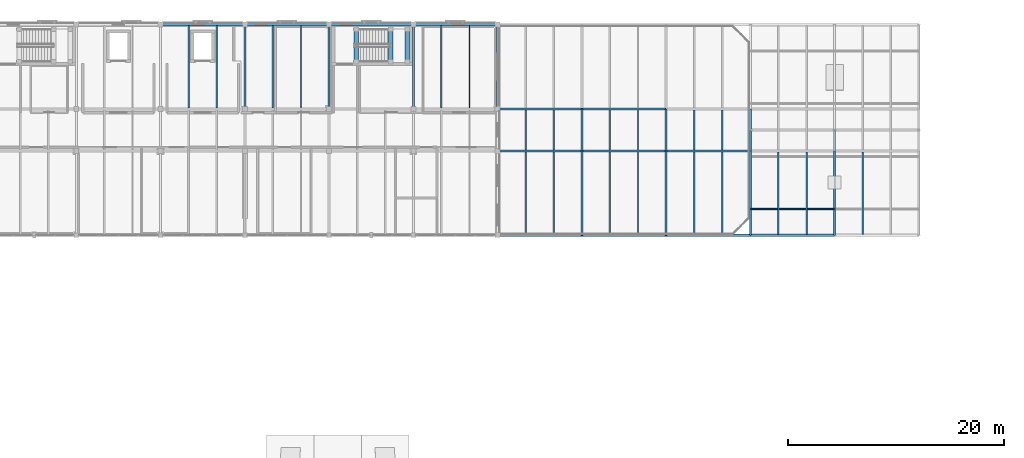
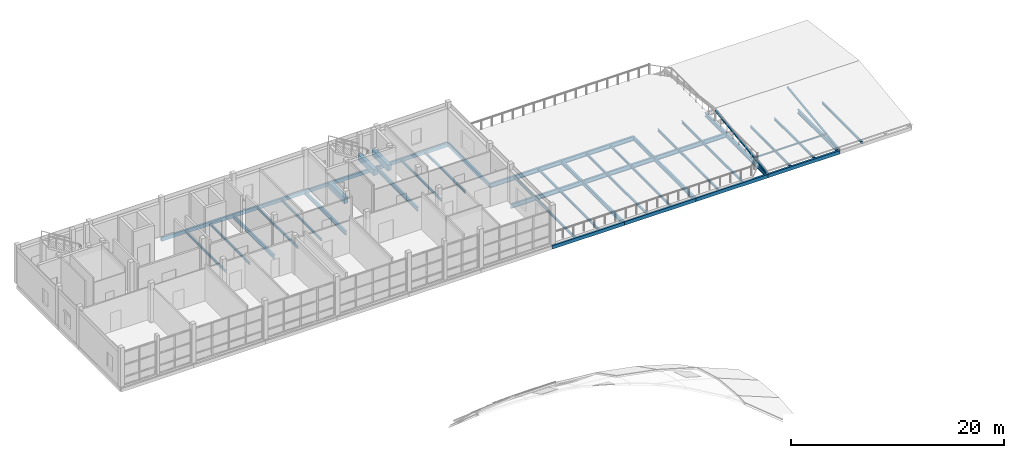
# One storey, part 12 of 45: 48 beams, 3 members.
"""IFC4 building model written with IfcOpenShell, lengths in metres."""

from ifc_helpers import new_model, si_unit, direction, frame, origin, origin_2d, place, context, subcontext, project, spatial, rectangle, hollow_rectangle, hollow_circle, i_section, extrude, material, material_profile, profile_set, type_object, element, save


model = new_model("IFC4")

# Units and contexts
model_context = context("Model", 3, precision=1e-05, world=origin(), true_north=direction((0.0, 1.0)))
body_context = subcontext(model_context, "Body", "Model", "MODEL_VIEW")
ifc_project = project(units=[si_unit("LENGTHUNIT", "METRE"), si_unit("AREAUNIT", "SQUARE_METRE"), si_unit("VOLUMEUNIT", "CUBIC_METRE"), si_unit("PLANEANGLEUNIT", "RADIAN"), si_unit("MASSUNIT", "GRAM", prefix="KILO")], contexts=[model_context])

# Site, building, storey
site_placement = place(None, origin())
site = spatial("IfcSite", under=ifc_project, at=site_placement, CompositionType="ELEMENT")
building_placement = place(site_placement, origin())
building = spatial("IfcBuilding", under=site, at=building_placement, Name="Celorna Specialist Clinic", CompositionType="ELEMENT")
storey_placement = place(building_placement, frame((0.0, 0.0, 18.60009765625)))
storey = spatial("IfcBuildingStorey", under=building, at=storey_placement, Name="L04", CompositionType="ELEMENT", Elevation=18.60009765625)

# Beams
ifc_material_1 = material(Name="Steel S355", Category="steel")
ifc_material_profile_1 = material_profile(ifc_material_1, i_section(OverallWidth=0.199951171875, OverallDepth=0.5, WebThickness=0.01025390625, FlangeThickness=0.01611328125, at=origin_2d()), Name="IPE 500")
ifc_profile_set_1 = profile_set([ifc_material_profile_1], Name="Steel S355")
beam_type_1 = type_object("IfcBeamType", Name="BM-08", PredefinedType="BEAM", material=ifc_profile_set_1)
beam_1_placement = place(storey_placement, frame((93.60009765625, 104.300048828125, -0.510009765625), z_axis=(1.0, 0.0, 0.0), x_axis=(0.0, 1.0, 0.0)))
element("IfcBeam", 1, at=beam_1_placement, inside=storey, type_object=beam_type_1, Name="Primary girder BM-08 #2314", PredefinedType="BEAM", context=body_context, shape_type="SweptSolid", body=[
    extrude(i_section(OverallWidth=0.199951171875, OverallDepth=0.5, WebThickness=0.01025390625, FlangeThickness=0.01611328125, at=origin_2d()), origin(), (0.0, 0.0, 1.0), 7.7998046875),
])
for number, where, z_axis, x_axis, name in (
    (2, (101.39990234375, 104.300048828125, -0.510009765625), (1.0, 0.0, 0.0), (0.0, 1.0, 0.0), "Primary girder BM-08 #2315"),
    (3, (109.199951171875, 104.300048828125, -0.510009765625), (1.0, 0.0, 0.0), (0.0, 1.0, 0.0), "Primary girder BM-08 #2316"),
):
    element("IfcBeam", number, at=place(storey_placement, frame(where, z_axis=z_axis, x_axis=x_axis)), inside=storey, type_object=beam_type_1, Name=name, PredefinedType="BEAM", context=body_context, shape_type="SweptSolid", body=[
        extrude(i_section(OverallWidth=0.199951171875, OverallDepth=0.5, WebThickness=0.01025390625, FlangeThickness=0.01611328125, at=origin_2d()), origin(), (0.0, 0.0, 1.0), 7.800048828125),
    ])
beam_2_placement = place(storey_placement, frame((93.60009765625, 108.199951171875, -0.510009765625), z_axis=(1.0, 0.0, 0.0), x_axis=(0.0, 1.0, 0.0)))
element("IfcBeam", 4, at=beam_2_placement, inside=storey, type_object=beam_type_1, Name="Primary girder BM-08 #2319", PredefinedType="BEAM", context=body_context, shape_type="SweptSolid", body=[
    extrude(i_section(OverallWidth=0.199951171875, OverallDepth=0.5, WebThickness=0.01025390625, FlangeThickness=0.01611328125, at=origin_2d()), origin(), (0.0, 0.0, 1.0), 7.7998046875),
])
beam_3_placement = place(storey_placement, frame((101.39990234375, 108.199951171875, -0.510009765625), z_axis=(1.0, 0.0, 0.0), x_axis=(0.0, 1.0, 0.0)))
element("IfcBeam", 5, at=beam_3_placement, inside=storey, type_object=beam_type_1, Name="Primary girder BM-08 #2320", PredefinedType="BEAM", context=body_context, shape_type="SweptSolid", body=[
    extrude(i_section(OverallWidth=0.199951171875, OverallDepth=0.5, WebThickness=0.01025390625, FlangeThickness=0.01611328125, at=origin_2d()), origin(), (0.0, 0.0, 1.0), 7.800048828125),
])
ifc_material_profile_2 = material_profile(ifc_material_1, i_section(OverallWidth=0.18994140625, OverallDepth=0.449951171875, WebThickness=0.009521484375, FlangeThickness=0.0146484375, at=origin_2d()), Name="IPE 450")
ifc_profile_set_2 = profile_set([ifc_material_profile_2], Name="Steel S355")
beam_type_2 = type_object("IfcBeamType", Name="BM-09", PredefinedType="BEAM", material=ifc_profile_set_2)
for number, where, z_axis, x_axis, name in (
    (6, (70.199951171875, 108.199951171875, -0.505126953125), (0.0, 1.0, 0.0), (-1.0, 0.0, 0.0), "Transverse girder BM-09 #1374"),
    (7, (78.0, 108.199951171875, -0.505126953125), (0.0, 1.0, 0.0), (-1.0, 0.0, 0.0), "Transverse girder BM-09 #1377"),
    (8, (85.800048828125, 108.199951171875, -0.505126953125), (0.0, 1.0, 0.0), (-1.0, 0.0, 0.0), "Transverse girder BM-09 #1380"),
    (9, (101.39990234375, 96.5, -0.485107421875), (0.0, 1.0, 0.0), (-1.0, 0.0, 0.0), "Transverse girder BM-09 #2329"),
):
    element("IfcBeam", number, at=place(storey_placement, frame(where, z_axis=z_axis, x_axis=x_axis)), inside=storey, type_object=beam_type_2, Name=name, PredefinedType="BEAM", context=body_context, shape_type="SweptSolid", body=[
        extrude(i_section(OverallWidth=0.18994140625, OverallDepth=0.449951171875, WebThickness=0.009521484375, FlangeThickness=0.0146484375, at=origin_2d()), origin(), (0.0, 0.0, 1.0), 7.800048828125),
    ])
beam_4_placement = place(storey_placement, frame((101.39990234375, 104.300048828125, -0.485107421875), z_axis=(0.0, 1.0, 0.0), x_axis=(-1.0, 0.0, 0.0)))
element("IfcBeam", 10, at=beam_4_placement, inside=storey, type_object=beam_type_2, Name="Transverse girder BM-09 #2330", PredefinedType="BEAM", context=body_context, shape_type="SweptSolid", body=[
    extrude(i_section(OverallWidth=0.18994140625, OverallDepth=0.449951171875, WebThickness=0.009521484375, FlangeThickness=0.0146484375, at=origin_2d()), origin(), (0.0, 0.0, 1.0), 3.89990234375),
])
beam_5_placement = place(storey_placement, frame((109.199951171875, 96.5, -0.485107421875), z_axis=(0.0, 1.0, 0.0), x_axis=(-1.0, 0.0, 0.0)))
element("IfcBeam", 11, at=beam_5_placement, inside=storey, type_object=beam_type_2, Name="Transverse girder BM-09 #2332", PredefinedType="BEAM", context=body_context, shape_type="SweptSolid", body=[
    extrude(i_section(OverallWidth=0.18994140625, OverallDepth=0.449951171875, WebThickness=0.009521484375, FlangeThickness=0.0146484375, at=origin_2d()), origin(), (0.0, 0.0, 1.0), 7.800048828125),
])
beam_6_placement = place(storey_placement, frame((109.199951171875, 104.300048828125, -0.485107421875), z_axis=(0.0, 1.0, 0.0), x_axis=(-1.0, 0.0, 0.0)))
element("IfcBeam", 12, at=beam_6_placement, inside=storey, type_object=beam_type_2, Name="Transverse girder BM-09 #2333", PredefinedType="BEAM", context=body_context, shape_type="SweptSolid", body=[
    extrude(i_section(OverallWidth=0.18994140625, OverallDepth=0.449951171875, WebThickness=0.009521484375, FlangeThickness=0.0146484375, at=origin_2d()), origin(), (0.0, 0.0, 1.0), 3.89990234375),
])
beam_7_placement = place(storey_placement, frame((117.0, 96.5, -0.485107421875), z_axis=(0.0, 1.0, 0.0), x_axis=(-1.0, 0.0, 0.0)))
element("IfcBeam", 13, at=beam_7_placement, inside=storey, type_object=beam_type_2, Name="Transverse girder BM-09 #2335", PredefinedType="BEAM", context=body_context, shape_type="SweptSolid", body=[
    extrude(i_section(OverallWidth=0.18994140625, OverallDepth=0.449951171875, WebThickness=0.009521484375, FlangeThickness=0.0146484375, at=origin_2d()), origin(), (0.0, 0.0, 1.0), 7.800048828125),
])
beam_8_placement = place(storey_placement, frame((117.0, 104.300048828125, -0.485107421875), z_axis=(0.0, 1.0, 0.0), x_axis=(-1.0, 0.0, 0.0)))
element("IfcBeam", 14, at=beam_8_placement, inside=storey, type_object=beam_type_2, Name="Transverse girder BM-09 #2336", PredefinedType="BEAM", context=body_context, shape_type="SweptSolid", body=[
    extrude(i_section(OverallWidth=0.18994140625, OverallDepth=0.449951171875, WebThickness=0.009521484375, FlangeThickness=0.0146484375, at=origin_2d()), origin(), (0.0, 0.0, 1.0), 3.89990234375),
])
beam_9_placement = place(storey_placement, frame((124.800048828125, 96.5, -0.485107421875), z_axis=(0.0, 1.0, 0.0), x_axis=(-1.0, 0.0, 0.0)))
element("IfcBeam", 15, at=beam_9_placement, inside=storey, type_object=beam_type_2, Name="Transverse girder BM-09 #2338", PredefinedType="BEAM", context=body_context, shape_type="SweptSolid", body=[
    extrude(i_section(OverallWidth=0.18994140625, OverallDepth=0.449951171875, WebThickness=0.009521484375, FlangeThickness=0.0146484375, at=origin_2d()), origin(), (0.0, 0.0, 1.0), 7.800048828125),
])
ifc_material_profile_3 = material_profile(ifc_material_1, i_section(OverallWidth=0.135009765625, OverallDepth=0.27001953125, WebThickness=0.006591796875, FlangeThickness=0.01025390625, at=origin_2d()), Name="IPE 270")
ifc_profile_set_3 = profile_set([ifc_material_profile_3], Name="Steel S355")
beam_type_3 = type_object("IfcBeamType", Name="BM-14", PredefinedType="JOIST", material=ifc_profile_set_3)
for number, where, z_axis, x_axis, name in (
    (16, (65.0, 108.2880859375, -0.4150390625), (0.0, 1.0, 0.0), (-1.0, 0.0, 0.0), "Secondary floor joist BM-14 #1398"),
    (17, (67.60009765625, 108.2880859375, -0.4150390625), (0.0, 1.0, 0.0), (-1.0, 0.0, 0.0), "Secondary floor joist BM-14 #1399"),
    (18, (72.800048828125, 108.2880859375, -0.4150390625), (0.0, 1.0, 0.0), (-1.0, 0.0, 0.0), "Secondary floor joist BM-14 #1404"),
    (19, (75.39990234375, 108.2880859375, -0.4150390625), (0.0, 1.0, 0.0), (-1.0, 0.0, 0.0), "Secondary floor joist BM-14 #1405"),
    (20, (88.39990234375, 108.2880859375, -0.4150390625), (0.0, 1.0, 0.0), (-1.0, 0.0, 0.0), "Secondary floor joist BM-14 #1414"),
    (21, (91.0, 108.2880859375, -0.4150390625), (0.0, 1.0, 0.0), (-1.0, 0.0, 0.0), "Secondary floor joist BM-14 #1415"),
    (22, (96.199951171875, 96.587890625, -0.39501953125), (0.0, 1.0, 0.0), (-1.0, 0.0, 0.0), "Secondary floor joist BM-14 #2344"),
    (23, (98.800048828125, 96.587890625, -0.39501953125), (0.0, 1.0, 0.0), (-1.0, 0.0, 0.0), "Secondary floor joist BM-14 #2345"),
):
    element("IfcBeam", number, at=place(storey_placement, frame(where, z_axis=z_axis, x_axis=x_axis)), inside=storey, type_object=beam_type_3, Name=name, PredefinedType="JOIST", context=body_context, shape_type="SweptSolid", body=[
        extrude(i_section(OverallWidth=0.135009765625, OverallDepth=0.27001953125, WebThickness=0.006591796875, FlangeThickness=0.01025390625, at=origin_2d()), origin(), (0.0, 0.0, 1.0), 7.6240234375),
    ])
for number, where, z_axis, x_axis, name in (
    (24, (96.199951171875, 104.387939453125, -0.39501953125), (0.0, 1.0, 0.0), (-1.0, 0.0, 0.0), "Secondary floor joist BM-14 #2346"),
    (25, (98.800048828125, 104.387939453125, -0.39501953125), (0.0, 1.0, 0.0), (-1.0, 0.0, 0.0), "Secondary floor joist BM-14 #2347"),
):
    element("IfcBeam", number, at=place(storey_placement, frame(where, z_axis=z_axis, x_axis=x_axis)), inside=storey, type_object=beam_type_3, Name=name, PredefinedType="JOIST", context=body_context, shape_type="SweptSolid", body=[
        extrude(i_section(OverallWidth=0.135009765625, OverallDepth=0.27001953125, WebThickness=0.006591796875, FlangeThickness=0.01025390625, at=origin_2d()), origin(), (0.0, 0.0, 1.0), 3.72412109375),
    ])
for number, where, z_axis, x_axis, name in (
    (26, (104.0, 96.587890625, -0.39501953125), (0.0, 1.0, 0.0), (-1.0, 0.0, 0.0), "Secondary floor joist BM-14 #2350"),
    (27, (106.60009765625, 96.587890625, -0.39501953125), (0.0, 1.0, 0.0), (-1.0, 0.0, 0.0), "Secondary floor joist BM-14 #2351"),
):
    element("IfcBeam", number, at=place(storey_placement, frame(where, z_axis=z_axis, x_axis=x_axis)), inside=storey, type_object=beam_type_3, Name=name, PredefinedType="JOIST", context=body_context, shape_type="SweptSolid", body=[
        extrude(i_section(OverallWidth=0.135009765625, OverallDepth=0.27001953125, WebThickness=0.006591796875, FlangeThickness=0.01025390625, at=origin_2d()), origin(), (0.0, 0.0, 1.0), 7.6240234375),
    ])
for number, where, z_axis, x_axis, name in (
    (28, (104.0, 104.387939453125, -0.39501953125), (0.0, 1.0, 0.0), (-1.0, 0.0, 0.0), "Secondary floor joist BM-14 #2352"),
    (29, (106.60009765625, 104.387939453125, -0.39501953125), (0.0, 1.0, 0.0), (-1.0, 0.0, 0.0), "Secondary floor joist BM-14 #2353"),
):
    element("IfcBeam", number, at=place(storey_placement, frame(where, z_axis=z_axis, x_axis=x_axis)), inside=storey, type_object=beam_type_3, Name=name, PredefinedType="JOIST", context=body_context, shape_type="SweptSolid", body=[
        extrude(i_section(OverallWidth=0.135009765625, OverallDepth=0.27001953125, WebThickness=0.006591796875, FlangeThickness=0.01025390625, at=origin_2d()), origin(), (0.0, 0.0, 1.0), 3.72412109375),
    ])
for number, where, z_axis, x_axis, name in (
    (30, (111.800048828125, 96.587890625, -0.39501953125), (0.0, 1.0, 0.0), (-1.0, 0.0, 0.0), "Secondary floor joist BM-14 #2356"),
    (31, (114.39990234375, 96.587890625, -0.39501953125), (0.0, 1.0, 0.0), (-1.0, 0.0, 0.0), "Secondary floor joist BM-14 #2357"),
):
    element("IfcBeam", number, at=place(storey_placement, frame(where, z_axis=z_axis, x_axis=x_axis)), inside=storey, type_object=beam_type_3, Name=name, PredefinedType="JOIST", context=body_context, shape_type="SweptSolid", body=[
        extrude(i_section(OverallWidth=0.135009765625, OverallDepth=0.27001953125, WebThickness=0.006591796875, FlangeThickness=0.01025390625, at=origin_2d()), origin(), (0.0, 0.0, 1.0), 7.6240234375),
    ])
for number, where, z_axis, x_axis, name in (
    (32, (111.800048828125, 104.387939453125, -0.39501953125), (0.0, 1.0, 0.0), (-1.0, 0.0, 0.0), "Secondary floor joist BM-14 #2358"),
    (33, (114.39990234375, 104.387939453125, -0.39501953125), (0.0, 1.0, 0.0), (-1.0, 0.0, 0.0), "Secondary floor joist BM-14 #2359"),
):
    element("IfcBeam", number, at=place(storey_placement, frame(where, z_axis=z_axis, x_axis=x_axis)), inside=storey, type_object=beam_type_3, Name=name, PredefinedType="JOIST", context=body_context, shape_type="SweptSolid", body=[
        extrude(i_section(OverallWidth=0.135009765625, OverallDepth=0.27001953125, WebThickness=0.006591796875, FlangeThickness=0.01025390625, at=origin_2d()), origin(), (0.0, 0.0, 1.0), 3.72412109375),
    ])
for number, where, z_axis, x_axis, name in (
    (34, (119.60009765625, 96.587890625, -0.39501953125), (0.0, 1.0, 0.0), (-1.0, 0.0, 0.0), "Secondary floor joist BM-14 #2362"),
    (35, (122.199951171875, 96.587890625, -0.39501953125), (0.0, 1.0, 0.0), (-1.0, 0.0, 0.0), "Secondary floor joist BM-14 #2363"),
    (36, (127.39990234375, 96.587890625, -0.39501953125), (0.0, 1.0, 0.0), (-1.0, 0.0, 0.0), "Secondary floor joist BM-14 #2368"),
):
    element("IfcBeam", number, at=place(storey_placement, frame(where, z_axis=z_axis, x_axis=x_axis)), inside=storey, type_object=beam_type_3, Name=name, PredefinedType="JOIST", context=body_context, shape_type="SweptSolid", body=[
        extrude(i_section(OverallWidth=0.135009765625, OverallDepth=0.27001953125, WebThickness=0.006591796875, FlangeThickness=0.01025390625, at=origin_2d()), origin(), (0.0, 0.0, 1.0), 7.6240234375),
    ])
ifc_material_profile_4 = material_profile(ifc_material_1, hollow_rectangle(XDim=0.199951171875, YDim=0.39990234375, WallThickness=0.011962890625, at=origin_2d()), Name="RHS 200x400x12")
ifc_profile_set_4 = profile_set([ifc_material_profile_4], Name="Steel S355")
beam_type_4 = type_object("IfcBeamType", Name="BM-15", PredefinedType="SPANDREL", material=ifc_profile_set_4)
for number, where, z_axis, x_axis, name in (
    (37, (62.39990234375, 116.0, -0.47998046875), (1.0, 0.0, 0.0), (0.0, 1.0, 0.0), "Spandrel beam BM-15 #1359"),
    (38, (70.199951171875, 116.0, -0.47998046875), (1.0, 0.0, 0.0), (0.0, 1.0, 0.0), "Spandrel beam BM-15 #1360"),
    (39, (78.0, 116.0, -0.47998046875), (1.0, 0.0, 0.0), (0.0, 1.0, 0.0), "Spandrel beam BM-15 #1361"),
    (40, (85.800048828125, 116.0, -0.47998046875), (1.0, 0.0, 0.0), (0.0, 1.0, 0.0), "Spandrel beam BM-15 #1362"),
    (41, (93.60009765625, 108.199951171875, -0.47998046875), (0.0, 1.0, 0.0), (-1.0, 0.0, 0.0), "Spandrel beam BM-15 #1383"),
):
    element("IfcBeam", number, at=place(storey_placement, frame(where, z_axis=z_axis, x_axis=x_axis)), inside=storey, type_object=beam_type_4, Name=name, PredefinedType="SPANDREL", context=body_context, shape_type="SweptSolid", body=[
        extrude(hollow_rectangle(XDim=0.199951171875, YDim=0.39990234375, WallThickness=0.011962890625, at=origin_2d()), origin(), (0.0, 0.0, 1.0), 7.800048828125),
    ])
beam_10_placement = place(storey_placement, frame((93.60009765625, 96.5, -0.460205078125), z_axis=(1.0, 0.0, 0.0), x_axis=(0.0, 1.0, 0.0)))
element("IfcBeam", 42, at=beam_10_placement, inside=storey, type_object=beam_type_4, Name="Spandrel beam BM-15 #2309", PredefinedType="SPANDREL", context=body_context, shape_type="SweptSolid", body=[
    extrude(hollow_rectangle(XDim=0.199951171875, YDim=0.39990234375, WallThickness=0.011962890625, at=origin_2d()), origin(), (0.0, 0.0, 1.0), 7.7998046875),
])
for number, where, z_axis, x_axis, name in (
    (43, (101.39990234375, 96.5, -0.460205078125), (1.0, 0.0, 0.0), (0.0, 1.0, 0.0), "Spandrel beam BM-15 #2310"),
    (44, (109.199951171875, 96.5, -0.460205078125), (1.0, 0.0, 0.0), (0.0, 1.0, 0.0), "Spandrel beam BM-15 #2311"),
    (45, (117.0, 96.5, -0.460205078125), (1.0, 0.0, 0.0), (0.0, 1.0, 0.0), "Spandrel beam BM-15 #2312"),
):
    element("IfcBeam", number, at=place(storey_placement, frame(where, z_axis=z_axis, x_axis=x_axis)), inside=storey, type_object=beam_type_4, Name=name, PredefinedType="SPANDREL", context=body_context, shape_type="SweptSolid", body=[
        extrude(hollow_rectangle(XDim=0.199951171875, YDim=0.39990234375, WallThickness=0.011962890625, at=origin_2d()), origin(), (0.0, 0.0, 1.0), 7.800048828125),
    ])
ifc_material_2 = material(Name="Concrete C35/45", Category="concrete")
ifc_material_profile_5 = material_profile(ifc_material_2, rectangle(XDim=0.39990234375, YDim=0.699951171875, at=origin_2d()), Name="RC 400x700")
ifc_profile_set_5 = profile_set([ifc_material_profile_5], Name="Concrete C35/45")
beam_type_5 = type_object("IfcBeamType", Name="BM-19", PredefinedType="BEAM", material=ifc_profile_set_5)
for number, where, z_axis, x_axis, name in (
    (46, (80.52001953125, 112.570068359375, -0.275146484375), (0.0, 1.0, 0.0), (-1.0, 0.0, 0.0), "Stair ST-02 floor landing trimmer beam L04"),
    (47, (83.719970703125, 112.570068359375, 1.824951171875), (0.0, 1.0, 0.0), (-1.0, 0.0, 0.0), "Stair ST-02 half-landing beam L04"),
    (48, (85.239990234375, 112.570068359375, 1.824951171875), (0.0, 1.0, 0.0), (-1.0, 0.0, 0.0), "Stair ST-02 half-landing beam L04"),
):
    element("IfcBeam", number, at=place(storey_placement, frame(where, z_axis=z_axis, x_axis=x_axis)), inside=storey, type_object=beam_type_5, Name=name, PredefinedType="BEAM", context=body_context, shape_type="SweptSolid", body=[
        extrude(rectangle(XDim=0.39990234375, YDim=0.699951171875, at=origin_2d()), origin(), (0.0, 0.0, 1.0), 3.0),
    ])

# Members
ifc_material_profile_6 = material_profile(ifc_material_1, hollow_circle(Radius=0.096923828125, WallThickness=0.010009765625, at=origin_2d()), Name="CHS 193.7x10")
ifc_profile_set_6 = profile_set([ifc_material_profile_6], Name="Steel S355")
member_type_1 = type_object("IfcMemberType", Name="MB-04", PredefinedType="PURLIN", material=ifc_profile_set_6)
member_placement = place(storey_placement, frame((117.0, 98.9375, 0.12548828125), z_axis=(1.0, 0.0, 0.0), x_axis=(0.0, 1.0, 0.0)))
element("IfcMember", 49, at=member_placement, inside=storey, type_object=member_type_1, Name="Roof purlin WP-374-WP-375", PredefinedType="PURLIN", context=body_context, shape_type="SweptSolid", body=[
    extrude(hollow_circle(Radius=0.096923828125, WallThickness=0.010009765625, at=origin_2d()), origin(), (0.0, 0.0, 1.0), 7.800048828125),
])
ifc_material_profile_7 = material_profile(ifc_material_1, hollow_rectangle(XDim=0.159912109375, YDim=0.159912109375, WallThickness=0.010009765625, at=origin_2d()), Name="SHS 160x160x10")
ifc_profile_set_7 = profile_set([ifc_material_profile_7], Name="Steel S355")
member_type_2 = type_object("IfcMemberType", Name="MB-09", PredefinedType="CHORD", material=ifc_profile_set_7)
for number, where, z_axis, x_axis, name in (
    (50, (117.0, 96.5, -0.2021484375), (0.0, 0.991622826619, 0.129167216148), (-1.0, 0.0, 0.0), "Pitched roof rafter chord WP-368-WP-369"),
    (51, (124.800048828125, 96.5, -0.2021484375), (0.0, 0.991622826619, 0.129167216148), (-1.0, 0.0, 0.0), "Pitched roof rafter chord WP-370-WP-371"),
):
    element("IfcMember", number, at=place(storey_placement, frame(where, z_axis=z_axis, x_axis=x_axis)), inside=storey, type_object=member_type_2, Name=name, PredefinedType="CHORD", context=body_context, shape_type="SweptSolid", body=[
        extrude(hollow_rectangle(XDim=0.159912109375, YDim=0.159912109375, WallThickness=0.010009765625, at=origin_2d()), origin(), (0.0, 0.0, 1.0), 9.832275390625),
    ])

save(model, "model.ifc")
